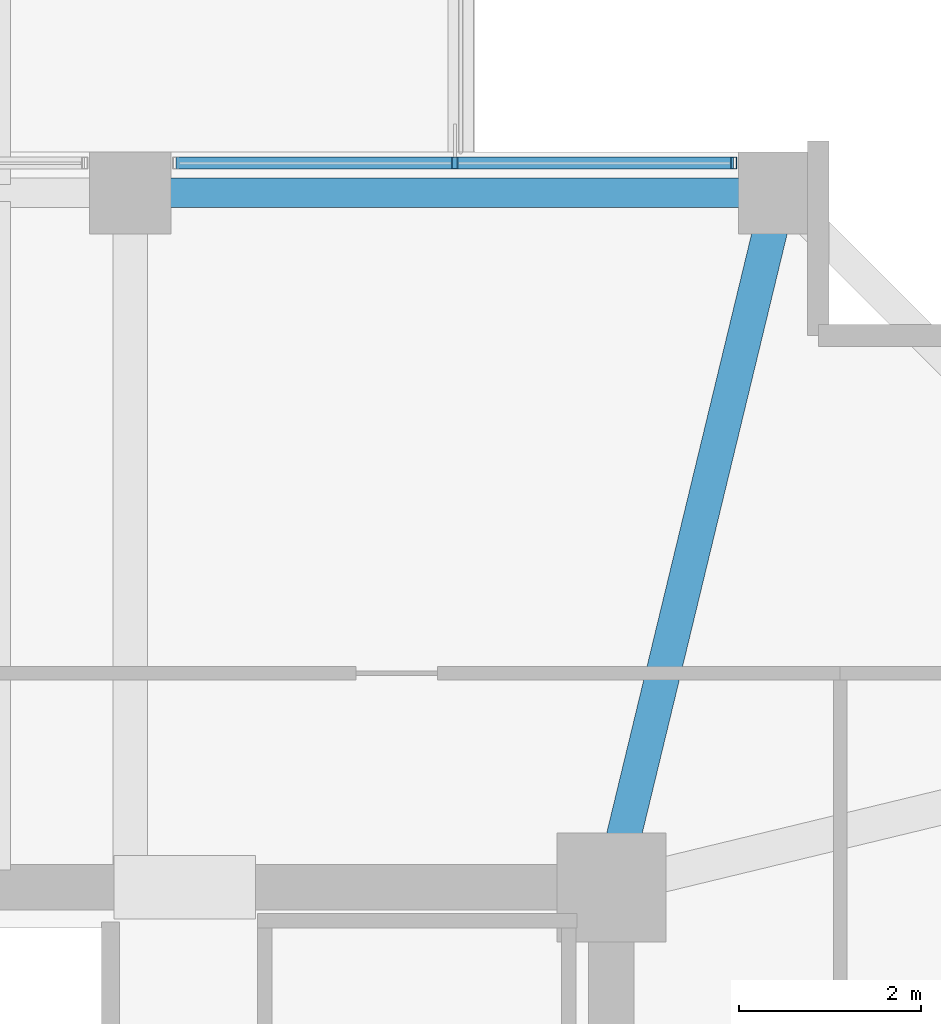
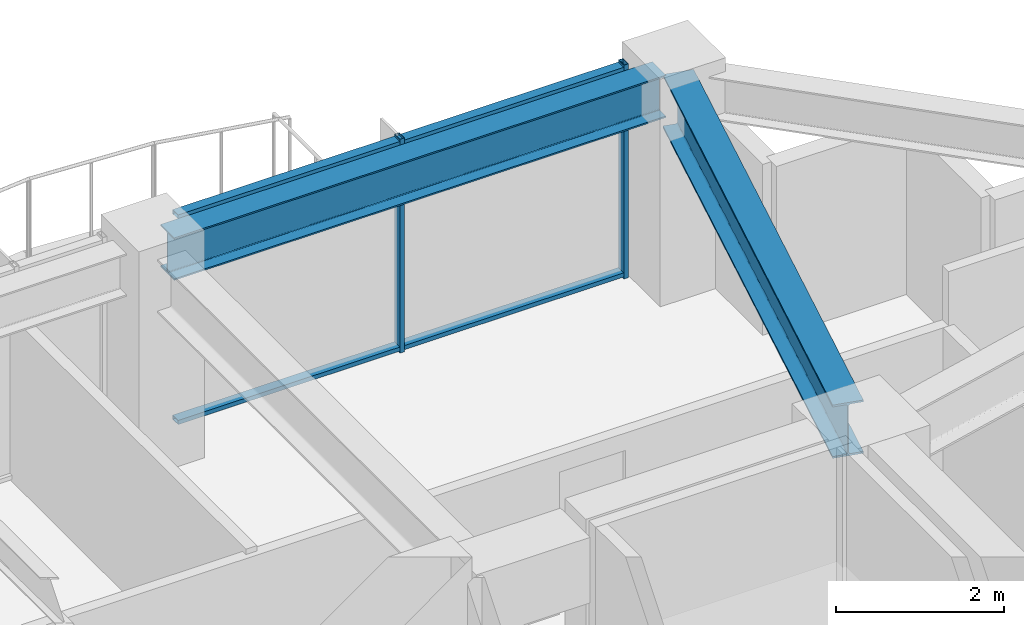
# One storey, part 19 of 31: 4 members, 2 beams, 1 element without a shape of its own.
"""IFC4 building model written with IfcOpenShell, lengths in metres."""

from ifc_helpers import new_model, si_unit, direction, frame, origin, origin_2d, place, context, subcontext, project, spatial, hollow_rectangle, i_section, extrude, material, material_profile, profile_set, type_object, element, aggregate, save


model = new_model("IFC4")

# Units and contexts
model_context = context("Model", 3, precision=1e-05, world=origin(), true_north=direction((0.0, 1.0)))
body_context = subcontext(model_context, "Body", "Model", "MODEL_VIEW")
ifc_project = project(units=[si_unit("LENGTHUNIT", "METRE"), si_unit("AREAUNIT", "SQUARE_METRE"), si_unit("VOLUMEUNIT", "CUBIC_METRE"), si_unit("PLANEANGLEUNIT", "RADIAN"), si_unit("MASSUNIT", "GRAM", prefix="KILO")], contexts=[model_context])

# Site, building, storey
site_placement = place(None, origin())
site = spatial("IfcSite", under=ifc_project, at=site_placement, CompositionType="ELEMENT")
building_placement = place(site_placement, origin())
building = spatial("IfcBuilding", under=site, at=building_placement, Name="Kolvaren Belvedere", CompositionType="ELEMENT")
storey_placement = place(building_placement, frame((0.0, 0.0, 131.60009765625)))
storey = spatial("IfcBuildingStorey", under=building, at=storey_placement, Name="L38", CompositionType="ELEMENT", Elevation=131.60009765625)

# Beams
ifc_material_1 = material(Name="Structural steel ASTM A992 Grade 50", Category="steel")
ifc_material_profile_1 = material_profile(ifc_material_1, i_section(OverallWidth=0.381103515625, OverallDepth=0.77294921875, WebThickness=0.0166015625, FlangeThickness=0.027099609375, FilletRadius=0.02392578125, at=origin_2d()), Name="W30X173")
ifc_profile_set_1 = profile_set([ifc_material_profile_1], Name="Structural steel ASTM A992 Grade 50")
beam_type_1 = type_object("IfcBeamType", Name="BM-GIRD-W30X173", PredefinedType="BEAM", material=ifc_profile_set_1)
beam_1_placement = place(storey_placement, frame((10.029296875, 10.4345703125, 2.71337890625), z_axis=(0.235062749937, 0.971980197119, 0.0), x_axis=(-0.971980197119, 0.235062749937, 0.0)))
element("IfcBeam", 1, at=beam_1_placement, inside=storey, type_object=beam_type_1, Name="L38 Corner Core-to-Perimeter Girder CC3-N4", PredefinedType="BEAM", context=body_context, shape_type="SweptSolid", body=[
    extrude(i_section(OverallWidth=0.381103515625, OverallDepth=0.77294921875, WebThickness=0.0166015625, FlangeThickness=0.027099609375, FilletRadius=0.02392578125, at=origin_2d()), origin(), (0.0, 0.0, 1.0), 7.140625),
])
ifc_material_2 = material(Name="Structural steel ASTM A992 Grade 50", Category="steel")
ifc_material_profile_2 = material_profile(ifc_material_2, i_section(OverallWidth=0.324951171875, OverallDepth=0.615966796875, WebThickness=0.013916015625, FlangeThickness=0.021484375, FilletRadius=0.02001953125, at=origin_2d()), Name="W24X117")
ifc_profile_set_2 = profile_set([ifc_material_profile_2], Name="Structural steel ASTM A992 Grade 50")
beam_type_2 = type_object("IfcBeamType", Name="BM-SPAN-W24X117", PredefinedType="SPANDREL", material=ifc_profile_set_2)
beam_2_placement = place(storey_placement, frame((11.547607421875, 17.550048828125, 2.7919921875), z_axis=(-1.0, 0.0, 0.0), x_axis=(0.0, -1.0, 0.0)))
element("IfcBeam", 2, at=beam_2_placement, inside=storey, type_object=beam_type_2, Name="L38 Perimeter Spandrel N4-N3", PredefinedType="SPANDREL", context=body_context, shape_type="SweptSolid", body=[
    extrude(i_section(OverallWidth=0.324951171875, OverallDepth=0.615966796875, WebThickness=0.013916015625, FlangeThickness=0.021484375, FilletRadius=0.02001953125, at=origin_2d()), origin(), (0.0, 0.0, 1.0), 6.7451171875),
])

# Curtain wall, members
ifc_material_3 = material(Name="Anodised pale-metal aluminium AA 6063-T6", Category="aluminium")
curtain_wall_type = type_object("IfcCurtainWallType", Name="CW-Z3-WAIST", PredefinedType="NOTDEFINED", material=ifc_material_3)
curtain_wall_placement = place(storey_placement, origin())
curtain_wall = element("IfcCurtainWall", 3, at=curtain_wall_placement, inside=storey, type_object=curtain_wall_type, Name="L38 Unitised Curtain Wall FCW-L38-N2-B2", PredefinedType="NOTDEFINED")
ifc_material_4 = material(Name="Anodised pale-metal aluminium AA 6063-T6", Category="aluminium")
ifc_material_profile_3 = material_profile(ifc_material_4, hollow_rectangle(XDim=0.06494140625, YDim=0.1298828125, WallThickness=0.00390625, at=origin_2d()), Name="ALU-MUL-130X65")
ifc_profile_set_3 = profile_set([ifc_material_profile_3], Name="Anodised pale-metal aluminium AA 6063-T6")
member_type_1 = type_object("IfcMemberType", Name="CW-MUL-130", PredefinedType="MULLION", material=ifc_profile_set_3)
member_1_placement = place(storey_placement, frame((8.175048828125, 17.8798828125, 0.0), z_axis=(0.0, 0.0, 1.0), x_axis=(1.0, 0.0, 0.0)))
member_1 = element("IfcMember", 4, at=member_1_placement, type_object=member_type_1, Name="FCW-L38-N2-B2 Unitised Mullion 2", PredefinedType="MULLION", context=body_context, shape_type="SweptSolid", body=[
    extrude(hollow_rectangle(XDim=0.06494140625, YDim=0.1298828125, WallThickness=0.00390625, at=origin_2d()), origin(), (0.0, 0.0, 1.0), 3.099853515625),
])
member_2_placement = place(storey_placement, frame((11.24755859375, 17.8798828125, 0.0), z_axis=(0.0, 0.0, 1.0), x_axis=(1.0, 0.0, 0.0)))
member_2 = element("IfcMember", 5, at=member_2_placement, type_object=member_type_1, Name="FCW-L38-N2-B2 Unitised Mullion 3", PredefinedType="MULLION", context=body_context, shape_type="SweptSolid", body=[
    extrude(hollow_rectangle(XDim=0.06494140625, YDim=0.1298828125, WallThickness=0.00390625, at=origin_2d()), origin(), (0.0, 0.0, 1.0), 3.099853515625),
])
ifc_material_5 = material(Name="Anodised pale-metal aluminium AA 6063-T6", Category="aluminium")
ifc_material_profile_4 = material_profile(ifc_material_5, hollow_rectangle(XDim=0.06005859375, YDim=0.1298828125, WallThickness=0.00390625, at=origin_2d()), Name="ALU-TRN-130X60")
ifc_profile_set_4 = profile_set([ifc_material_profile_4], Name="Anodised pale-metal aluminium AA 6063-T6")
member_type_2 = type_object("IfcMemberType", Name="CW-TRN-130", PredefinedType="USERDEFINED", material=ifc_profile_set_4)
member_3_placement = place(storey_placement, frame((5.1025390625, 17.8798828125, 0.059814453125), z_axis=(1.0, 0.0, 0.0), x_axis=(0.0, 0.0, 1.0)))
member_3 = element("IfcMember", 6, at=member_3_placement, type_object=member_type_2, Name="FCW-L38-N2-B2 Sill Transom", ObjectType="TRANSOM", PredefinedType="USERDEFINED", context=body_context, shape_type="SweptSolid", body=[
    extrude(hollow_rectangle(XDim=0.06005859375, YDim=0.1298828125, WallThickness=0.00390625, at=origin_2d()), origin(), (0.0, 0.0, 1.0), 6.14501953125),
])
member_4_placement = place(storey_placement, frame((5.1025390625, 17.8798828125, 3.039794921875), z_axis=(1.0, 0.0, 0.0), x_axis=(0.0, 0.0, 1.0)))
member_4 = element("IfcMember", 7, at=member_4_placement, type_object=member_type_2, Name="FCW-L38-N2-B2 Head Transom", ObjectType="TRANSOM", PredefinedType="USERDEFINED", context=body_context, shape_type="SweptSolid", body=[
    extrude(hollow_rectangle(XDim=0.06005859375, YDim=0.1298828125, WallThickness=0.00390625, at=origin_2d()), origin(), (0.0, 0.0, 1.0), 6.14501953125),
])
aggregate(curtain_wall, [member_1, member_2, member_3, member_4])

save(model, "model.ifc")
